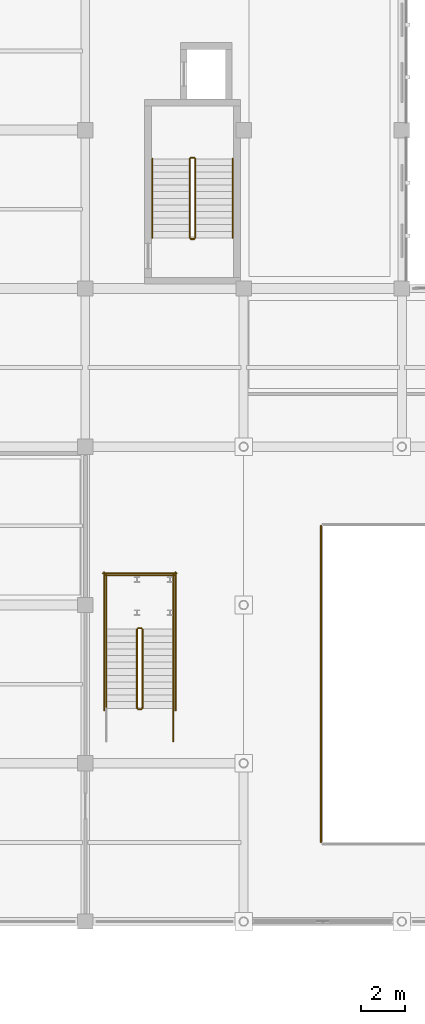
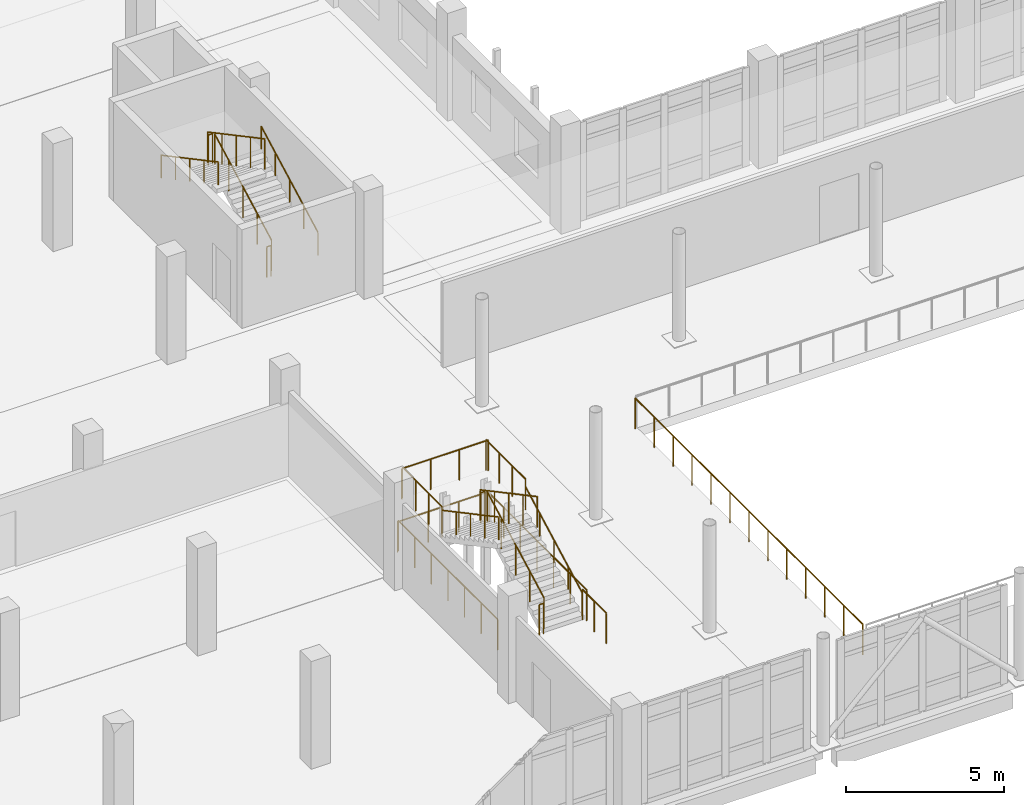
# One storey, part 54 of 62: 20 railings.
"""IFC4 building model written with IfcOpenShell, lengths in metres."""

import ifcopenshell
import ifcopenshell.guid

model = None  # the IFC model being written
_history = None  # IfcOwnerHistory: only IFC2X3 demands one
_inside = {}  # id of a spatial element -> (the spatial element, [elements in it])
_under = {}  # id of a project, library or spatial element -> (it, [spatial elements below it])
_declared = {}  # id of a project -> (the project, [libraries it declares])
_typed = {}  # id of a type object -> (the type object, [elements of that type])
_made_of = {}  # id of a material, layer set ... -> (it, [elements and type objects made of it])


def new_model(schema):
    """Start an empty IFC model of exactly this schema.

    Asked for "IFC4X3", IfcOpenShell would pick the latest addendum, in which some entities
    have other attributes; the version numbers below select the first issue.
    IFC2X3 requires an IfcOwnerHistory on every rooted entity: one is made here for all.
    """
    global model, _history
    if schema == "IFC4X3":
        model = ifcopenshell.file(schema_version=(4, 3, 0, 0))
    else:
        model = ifcopenshell.file(schema=schema)
    _inside.clear()
    _under.clear()
    _declared.clear()
    _typed.clear()
    _made_of.clear()
    _history = None
    if model.schema == "IFC2X3":
        org = make("IfcOrganization", Name="unknown")
        user = make(
            "IfcPersonAndOrganization",
            ThePerson=make("IfcPerson", FamilyName="unknown"),
            TheOrganization=org,
        )
        app = make(
            "IfcApplication",
            ApplicationDeveloper=org,
            Version="unknown",
            ApplicationFullName="unknown",
            ApplicationIdentifier="unknown",
        )
        _history = make(
            "IfcOwnerHistory",
            OwningUser=user,
            OwningApplication=app,
            ChangeAction="ADDED",
            CreationDate=0,
        )
    return model


def make(cls, **values):
    """One entity of the class cls with the attributes given. An attribute that is None is left unset."""
    return model.create_entity(
        cls, **{name: value for name, value in values.items() if value is not None}
    )


def rooted(cls, **values):
    """An entity with a GlobalId (a new one), such as an element, a storey or a relation."""
    return make(cls, GlobalId=ifcopenshell.guid.new(), OwnerHistory=_history, **values)


def si_unit(unit_type, name, prefix=None):
    """IfcSIUnit, for example si_unit("LENGTHUNIT", "METRE", prefix="MILLI")."""
    return make("IfcSIUnit", UnitType=unit_type, Prefix=prefix, Name=name)


def assignment(units):
    """IfcUnitAssignment: the units of a project."""
    return None if units is None else make("IfcUnitAssignment", Units=units)


def point(xyz):
    """IfcCartesianPoint."""
    return None if xyz is None else make("IfcCartesianPoint", Coordinates=xyz)


def direction(xyz):
    """IfcDirection."""
    return None if xyz is None else make("IfcDirection", DirectionRatios=xyz)


def frame(location, z_axis=None, x_axis=None):
    """IfcAxis2Placement3D, a coordinate frame: its origin and axes. An axis left out is left unset."""
    return make(
        "IfcAxis2Placement3D",
        Location=point(location),
        Axis=direction(z_axis),
        RefDirection=direction(x_axis),
    )


def frame_2d(location, x_axis=None):
    """IfcAxis2Placement2D, a coordinate frame in the plane: its origin and x axis."""
    return make(
        "IfcAxis2Placement2D", Location=point(location), RefDirection=direction(x_axis)
    )


def origin():
    """The frame at (0, 0, 0) with its axes left unset."""
    return frame((0.0, 0.0, 0.0))


def origin_2d():
    """The frame at (0, 0) in the plane with its x axis left unset."""
    return frame_2d((0.0, 0.0))


def place(relative_to, where):
    """IfcLocalPlacement: puts the frame where relative to a parent placement (None: the world)."""
    return make(
        "IfcLocalPlacement", PlacementRelTo=relative_to, RelativePlacement=where
    )


def context(
    kind, dimensions, precision=None, world=None, true_north=None, identifier=None
):
    """IfcGeometricRepresentationContext, for example the 3D "Model" context."""
    return make(
        "IfcGeometricRepresentationContext",
        ContextIdentifier=identifier,
        ContextType=kind,
        CoordinateSpaceDimension=dimensions,
        Precision=precision,
        WorldCoordinateSystem=world,
        TrueNorth=true_north,
    )


def subcontext(parent, identifier, kind, view, scale=None):
    """IfcGeometricRepresentationSubContext, for example "Body" below "Model"."""
    return make(
        "IfcGeometricRepresentationSubContext",
        ContextIdentifier=identifier,
        ContextType=kind,
        ParentContext=parent,
        TargetScale=scale,
        TargetView=view,
    )


def project(units=None, contexts=None):
    """IfcProject with its units and contexts."""
    return rooted(
        "IfcProject",
        Name="project",
        RepresentationContexts=contexts,
        UnitsInContext=assignment(units),
    )


def spatial(cls, under=None, at=None, **own):
    """A site, building, storey or space (cls), placed at a placement, below another one or the project."""
    s = rooted(cls, ObjectPlacement=at, **own)
    if under is not None:
        _under.setdefault(under.id(), (under, []))[1].append(s)
    return s


def profile(cls, at=None, kind="AREA", **sizes):
    """A parametric profile (cls). Its sizes go by their IFC names, for example OverallWidth=200.0."""
    return make(cls, ProfileType=kind, Position=at, **sizes)


def circle(**sizes):
    """IfcCircleProfileDef."""
    return profile("IfcCircleProfileDef", **sizes)


def extrude(swept, where, along, depth):
    """IfcExtrudedAreaSolid: the profile swept, set in the frame where, extruded along a direction by depth."""
    return make(
        "IfcExtrudedAreaSolid",
        SweptArea=swept,
        Position=where,
        ExtrudedDirection=direction(along),
        Depth=depth,
    )


def shape(context_of_items, identifier, shape_type, items):
    """IfcShapeRepresentation: the items that make up one representation, for example the "Body"."""
    return make(
        "IfcShapeRepresentation",
        ContextOfItems=context_of_items,
        RepresentationIdentifier=identifier,
        RepresentationType=shape_type,
        Items=items,
    )


def material(Name=None, Category=None):
    """IfcMaterial."""
    return make("IfcMaterial", Name=Name, Category=Category)


def made_of(thing, what):
    """Note that an element or type object is made of a material, layer set ...; save() writes the relation."""
    if what is not None:
        _made_of.setdefault(what.id(), (what, []))[1].append(thing)
    return thing


def type_object(cls, material=None, **own):
    """A type object (cls), such as IfcWallType, which elements share."""
    return made_of(rooted(cls, **own), material)


def element(
    cls,
    number,
    at=None,
    inside=None,
    cuts=None,
    type_object=None,
    material=None,
    context=None,
    identifier="Body",
    shape_type=None,
    held_by="IfcProductDefinitionShape",
    body=None,
    shapes=None,
    **own,
):
    """One element of the class cls, such as IfcWall. Its Tag is "e" and its number.

    at: its placement. inside: the storey or other place that contains it. cuts: it is an
    opening in that element (IfcRelVoidsElement). A single representation is given by context,
    identifier, shape_type and body (its items); several are given by shapes. held_by: the class
    of the entity that holds the representations. save() writes the other relations.
    """
    e = rooted(cls, Tag="e%d" % number, ObjectPlacement=at, **own)
    if body is not None:
        shapes = [shape(context, identifier, shape_type, body)]
    if shapes is not None:
        e.Representation = make(held_by, Representations=shapes)
    if inside is not None:
        _inside.setdefault(inside.id(), (inside, []))[1].append(e)
    if cuts is not None:
        rooted(
            "IfcRelVoidsElement", RelatingBuildingElement=cuts, RelatedOpeningElement=e
        )
    if type_object is not None:
        _typed.setdefault(type_object.id(), (type_object, []))[1].append(e)
    return made_of(e, material)


def aggregate(whole, parts):
    """IfcRelAggregates: a whole, such as a stair, and the parts it consists of."""
    return rooted("IfcRelAggregates", RelatingObject=whole, RelatedObjects=parts)


def save(model, path):
    """Write the relations noted so far, then the file.

    IfcRelAggregates (storeys below a building ...), IfcRelContainedInSpatialStructure (elements
    in a storey), IfcRelDefinesByType, IfcRelAssociatesMaterial and IfcRelDeclares: one each for
    every whole, place, type object, material and project.
    """
    for whole, parts in _under.values():
        aggregate(whole, parts)
    for where, things in _inside.values():
        rooted(
            "IfcRelContainedInSpatialStructure",
            RelatedElements=things,
            RelatingStructure=where,
        )
    for kind, things in _typed.values():
        rooted("IfcRelDefinesByType", RelatedObjects=things, RelatingType=kind)
    for what, things in _made_of.values():
        rooted("IfcRelAssociatesMaterial", RelatedObjects=things, RelatingMaterial=what)
    for by, libraries in _declared.values():
        rooted("IfcRelDeclares", RelatingContext=by, RelatedDefinitions=libraries)
    model.write(path)


model = new_model("IFC4")

# Units and contexts
model_context = context("Model", 3, precision=1e-05, world=origin(), true_north=direction((0.0, 1.0)))
body_context = subcontext(model_context, "Body", "Model", "MODEL_VIEW")
ifc_project = project(units=[si_unit("LENGTHUNIT", "METRE"), si_unit("AREAUNIT", "SQUARE_METRE"), si_unit("VOLUMEUNIT", "CUBIC_METRE"), si_unit("PLANEANGLEUNIT", "RADIAN"), si_unit("MASSUNIT", "GRAM", prefix="KILO")], contexts=[model_context])

# Site, building, storey
site_placement = place(None, origin())
site = spatial("IfcSite", under=ifc_project, at=site_placement, CompositionType="ELEMENT")
building_placement = place(site_placement, origin())
building = spatial("IfcBuilding", under=site, at=building_placement, Name="Valkovuoma Quantum and Materials Research Institute", CompositionType="ELEMENT")
storey_placement = place(building_placement, frame((0.0, 0.0, 8.9599609375)))
storey = spatial("IfcBuildingStorey", under=building, at=storey_placement, Name="L02", CompositionType="ELEMENT", Elevation=8.9599609375)

# Railings
ifc_material_1 = material(Name="Hot-dip galvanised and powder-coated steel guardrail", Category="steel")
railing_type_1 = type_object("IfcRailingType", Name="Rail-GRD-EXT", PredefinedType="BALUSTRADE", material=ifc_material_1)
railing_1_placement = place(storey_placement, frame((46.719970703125, 39.60009765625, 0.0)))
element("IfcRailing", 1, at=railing_1_placement, inside=storey, type_object=railing_type_1, Name="L02 atrium_void balustrade W", PredefinedType="BALUSTRADE", context=body_context, shape_type="SweptSolid", body=[
    extrude(circle(Radius=0.02392578125, at=origin_2d()), frame((0.0, 0.0, 1.17578125), z_axis=(0.0, 1.0, 0.0), x_axis=(-1.0, 0.0, 0.0)), (0.0, 0.0, 1.0), 14.39990234375),
    extrude(circle(Radius=0.02099609375, at=origin_2d()), origin(), (0.0, 0.0, 1.0), 1.15185546875),
    extrude(circle(Radius=0.02099609375, at=origin_2d()), frame((0.0, 1.199951171875, 0.0)), (0.0, 0.0, 1.0), 1.15185546875),
    extrude(circle(Radius=0.02099609375, at=origin_2d()), frame((0.0, 2.39990234375, 0.0)), (0.0, 0.0, 1.0), 1.15185546875),
    extrude(circle(Radius=0.02099609375, at=origin_2d()), frame((0.0, 3.60009765625, 0.0)), (0.0, 0.0, 1.0), 1.15185546875),
    extrude(circle(Radius=0.02099609375, at=origin_2d()), frame((0.0, 4.800048828125, 0.0)), (0.0, 0.0, 1.0), 1.15185546875),
    extrude(circle(Radius=0.02099609375, at=origin_2d()), frame((0.0, 6.0, 0.0)), (0.0, 0.0, 1.0), 1.15185546875),
    extrude(circle(Radius=0.02099609375, at=origin_2d()), frame((0.0, 7.199951171875, 0.0)), (0.0, 0.0, 1.0), 1.15185546875),
    extrude(circle(Radius=0.02099609375, at=origin_2d()), frame((0.0, 8.39990234375, 0.0)), (0.0, 0.0, 1.0), 1.15185546875),
    extrude(circle(Radius=0.02099609375, at=origin_2d()), frame((0.0, 9.599853515625, 0.0)), (0.0, 0.0, 1.0), 1.15185546875),
    extrude(circle(Radius=0.02099609375, at=origin_2d()), frame((0.0, 10.7998046875, 0.0)), (0.0, 0.0, 1.0), 1.15185546875),
    extrude(circle(Radius=0.02099609375, at=origin_2d()), frame((0.0, 12.0, 0.0)), (0.0, 0.0, 1.0), 1.15185546875),
    extrude(circle(Radius=0.02099609375, at=origin_2d()), frame((0.0, 13.199951171875, 0.0)), (0.0, 0.0, 1.0), 1.15185546875),
    extrude(circle(Radius=0.02099609375, at=origin_2d()), frame((0.0, 14.39990234375, 0.0)), (0.0, 0.0, 1.0), 1.15185546875),
])
ifc_material_2 = material(Name="Painted steel stair balustrade", Category="steel")
railing_type_2 = type_object("IfcRailingType", Name="Rail-GRD-ST", PredefinedType="BALUSTRADE", material=ifc_material_2)
railing_2_placement = place(storey_placement, frame((41.0, 67.10009765625, 0.16015625)))
element("IfcRailing", 2, at=railing_2_placement, inside=storey, type_object=railing_type_2, Name="L02 ST-4 stair guard 1", PredefinedType="BALUSTRADE", context=body_context, shape_type="SweptSolid", body=[
    extrude(circle(Radius=0.02392578125, at=origin_2d()), frame((0.0, 0.0, 1.17578125), z_axis=(0.0, 0.882352941176, 0.470588235294), x_axis=(-1.0, 0.0, 0.0)), (0.0, 0.0, 1.0), 4.079833984375),
    extrude(circle(Radius=0.02099609375, at=origin_2d()), origin(), (0.0, 0.0, 1.0), 1.15185546875),
    extrude(circle(Radius=0.02099609375, at=origin_2d()), frame((0.0, 0.89990234375, 0.47998046875)), (0.0, 0.0, 1.0), 1.15185546875),
    extrude(circle(Radius=0.02099609375, at=origin_2d()), frame((0.0, 1.7998046875, 0.9599609375)), (0.0, 0.0, 1.0), 1.15185546875),
    extrude(circle(Radius=0.02099609375, at=origin_2d()), frame((0.0, 2.699951171875, 1.43994140625)), (0.0, 0.0, 1.0), 1.15185546875),
    extrude(circle(Radius=0.02099609375, at=origin_2d()), frame((0.0, 3.599853515625, 1.919921875)), (0.0, 0.0, 1.0), 1.15185546875),
])
railing_3_placement = place(storey_placement, frame((40.949951171875, 70.75, 2.080078125)))
element("IfcRailing", 3, at=railing_3_placement, inside=storey, type_object=railing_type_2, Name="L02 ST-4 stair guard 2", PredefinedType="BALUSTRADE", context=body_context, shape_type="SweptSolid", body=[
    extrude(circle(Radius=0.02392578125, at=origin_2d()), frame((0.0, 0.0, 1.17578125), z_axis=(-1.0, 0.0, 0.0), x_axis=(0.0, -1.0, 0.0)), (0.0, 0.0, 1.0), 0.14990234375),
    extrude(circle(Radius=0.02099609375, at=origin_2d()), origin(), (0.0, 0.0, 1.0), 1.15185546875),
    extrude(circle(Radius=0.02099609375, at=origin_2d()), frame((-0.14990234375, 0.0, 0.0)), (0.0, 0.0, 1.0), 1.15185546875),
])
railing_4_placement = place(storey_placement, frame((40.75, 70.699951171875, 2.239990234375)))
element("IfcRailing", 4, at=railing_4_placement, inside=storey, type_object=railing_type_2, Name="L02 ST-4 stair guard 3", PredefinedType="BALUSTRADE", context=body_context, shape_type="SweptSolid", body=[
    extrude(circle(Radius=0.02392578125, at=origin_2d()), frame((0.0, 0.0, 1.17578125), z_axis=(0.0, -0.882328093246, 0.470634822203), x_axis=(1.0, 0.0, 0.0)), (0.0, 0.0, 1.0), 4.079833984375),
    extrude(circle(Radius=0.02099609375, at=origin_2d()), origin(), (0.0, 0.0, 1.0), 1.15185546875),
    extrude(circle(Radius=0.02099609375, at=origin_2d()), frame((0.0, -0.89990234375, 0.47998046875)), (0.0, 0.0, 1.0), 1.15185546875),
    extrude(circle(Radius=0.02099609375, at=origin_2d()), frame((0.0, -1.7998046875, 0.9599609375)), (0.0, 0.0, 1.0), 1.15185546875),
    extrude(circle(Radius=0.02099609375, at=origin_2d()), frame((0.0, -2.699951171875, 1.440185546875)), (0.0, 0.0, 1.0), 1.15185546875),
    extrude(circle(Radius=0.02099609375, at=origin_2d()), frame((0.0, -3.599853515625, 1.920166015625)), (0.0, 0.0, 1.0), 1.15185546875),
])
railing_5_placement = place(storey_placement, frame((40.949951171875, 67.050048828125, 0.0)))
element("IfcRailing", 5, at=railing_5_placement, inside=storey, type_object=railing_type_2, Name="L02 ST-4 stair guard 4", PredefinedType="BALUSTRADE", context=body_context, shape_type="SweptSolid", body=[
    extrude(circle(Radius=0.02392578125, at=origin_2d()), frame((0.0, 0.0, 1.17578125), z_axis=(-1.0, 0.0, 0.0), x_axis=(0.0, -1.0, 0.0)), (0.0, 0.0, 1.0), 0.14990234375),
    extrude(circle(Radius=0.02099609375, at=origin_2d()), origin(), (0.0, 0.0, 1.0), 1.15185546875),
    extrude(circle(Radius=0.02099609375, at=origin_2d()), frame((-0.14990234375, 0.0, 0.0)), (0.0, 0.0, 1.0), 1.15185546875),
])
railing_6_placement = place(storey_placement, frame((38.60009765625, 45.699951171875, 0.16015625)))
element("IfcRailing", 6, at=railing_6_placement, inside=storey, type_object=railing_type_2, Name="L02 ST-5 stair guard 1", PredefinedType="BALUSTRADE", context=body_context, shape_type="SweptSolid", body=[
    extrude(circle(Radius=0.02392578125, at=origin_2d()), frame((0.0, 0.0, 1.17578125), z_axis=(0.0, 0.882366192074, 0.470563389019), x_axis=(-1.0, 0.0, 0.0)), (0.0, 0.0, 1.0), 4.080078125),
    extrude(circle(Radius=0.02099609375, at=origin_2d()), origin(), (0.0, 0.0, 1.0), 1.15185546875),
    extrude(circle(Radius=0.02099609375, at=origin_2d()), frame((0.0, 0.89990234375, 0.47998046875)), (0.0, 0.0, 1.0), 1.15185546875),
    extrude(circle(Radius=0.02099609375, at=origin_2d()), frame((0.0, 1.800048828125, 0.9599609375)), (0.0, 0.0, 1.0), 1.15185546875),
    extrude(circle(Radius=0.02099609375, at=origin_2d()), frame((0.0, 2.7001953125, 1.43994140625)), (0.0, 0.0, 1.0), 1.15185546875),
    extrude(circle(Radius=0.02099609375, at=origin_2d()), frame((0.0, 3.60009765625, 1.919921875)), (0.0, 0.0, 1.0), 1.15185546875),
])
railing_7_placement = place(storey_placement, frame((38.550048828125, 49.35009765625, 2.080078125)))
element("IfcRailing", 7, at=railing_7_placement, inside=storey, type_object=railing_type_2, Name="L02 ST-5 stair guard 2", PredefinedType="BALUSTRADE", context=body_context, shape_type="SweptSolid", body=[
    extrude(circle(Radius=0.02392578125, at=origin_2d()), frame((0.0, 0.0, 1.17578125), z_axis=(-1.0, 0.0, 0.0), x_axis=(0.0, -1.0, 0.0)), (0.0, 0.0, 1.0), 0.150146484375),
    extrude(circle(Radius=0.02099609375, at=origin_2d()), origin(), (0.0, 0.0, 1.0), 1.15185546875),
    extrude(circle(Radius=0.02099609375, at=origin_2d()), frame((-0.150146484375, 0.0, 0.0)), (0.0, 0.0, 1.0), 1.15185546875),
])
for number, where, name in (
    (8, (40.0, 49.300048828125, 2.080078125), "L02 ST-5 stair guard 3"),
    (9, (36.949951171875, 49.300048828125, 2.080078125), "L02 ST-5 stair guard 4"),
):
    element("IfcRailing", number, at=place(storey_placement, frame(where)), inside=storey, type_object=railing_type_2, Name=name, PredefinedType="BALUSTRADE", context=body_context, shape_type="SweptSolid", body=[
        extrude(circle(Radius=0.02392578125, at=origin_2d()), frame((0.0, 0.0, 1.17578125), z_axis=(0.0, 1.0, 0.0), x_axis=(-1.0, 0.0, 0.0)), (0.0, 0.0, 1.0), 2.5),
        extrude(circle(Radius=0.02099609375, at=origin_2d()), origin(), (0.0, 0.0, 1.0), 1.15185546875),
        extrude(circle(Radius=0.02099609375, at=origin_2d()), frame((0.0, 0.833251953125, 0.0)), (0.0, 0.0, 1.0), 1.15185546875),
        extrude(circle(Radius=0.02099609375, at=origin_2d()), frame((0.0, 1.666748046875, 0.0)), (0.0, 0.0, 1.0), 1.15185546875),
        extrude(circle(Radius=0.02099609375, at=origin_2d()), frame((0.0, 2.5, 0.0)), (0.0, 0.0, 1.0), 1.15185546875),
    ])
railing_8_placement = place(storey_placement, frame((40.050048828125, 51.75, 2.080078125)))
element("IfcRailing", 10, at=railing_8_placement, inside=storey, type_object=railing_type_2, Name="L02 ST-5 stair guard 5", PredefinedType="BALUSTRADE", context=body_context, shape_type="SweptSolid", body=[
    extrude(circle(Radius=0.02392578125, at=origin_2d()), frame((0.0, 0.0, 1.17578125), z_axis=(-1.0, 0.0, 0.0), x_axis=(0.0, -1.0, 0.0)), (0.0, 0.0, 1.0), 3.150146484375),
    extrude(circle(Radius=0.02099609375, at=origin_2d()), origin(), (0.0, 0.0, 1.0), 1.15185546875),
    extrude(circle(Radius=0.02099609375, at=origin_2d()), frame((-1.050048828125, 0.0, 0.0)), (0.0, 0.0, 1.0), 1.15185546875),
    extrude(circle(Radius=0.02099609375, at=origin_2d()), frame((-2.10009765625, 0.0, 0.0)), (0.0, 0.0, 1.0), 1.15185546875),
    extrude(circle(Radius=0.02099609375, at=origin_2d()), frame((-3.150146484375, 0.0, 0.0)), (0.0, 0.0, 1.0), 1.15185546875),
])
railing_9_placement = place(storey_placement, frame((38.35009765625, 49.300048828125, 2.239990234375)))
element("IfcRailing", 11, at=railing_9_placement, inside=storey, type_object=railing_type_2, Name="L02 ST-5 stair guard 6", PredefinedType="BALUSTRADE", context=body_context, shape_type="SweptSolid", body=[
    extrude(circle(Radius=0.02392578125, at=origin_2d()), frame((0.0, 0.0, 1.17578125), z_axis=(0.0, -0.882341346394, 0.470609974867), x_axis=(1.0, 0.0, 0.0)), (0.0, 0.0, 1.0), 4.080078125),
    extrude(circle(Radius=0.02099609375, at=origin_2d()), origin(), (0.0, 0.0, 1.0), 1.15185546875),
    extrude(circle(Radius=0.02099609375, at=origin_2d()), frame((0.0, -0.89990234375, 0.47998046875)), (0.0, 0.0, 1.0), 1.15185546875),
    extrude(circle(Radius=0.02099609375, at=origin_2d()), frame((0.0, -1.800048828125, 0.9599609375)), (0.0, 0.0, 1.0), 1.15185546875),
    extrude(circle(Radius=0.02099609375, at=origin_2d()), frame((0.0, -2.7001953125, 1.440185546875)), (0.0, 0.0, 1.0), 1.15185546875),
    extrude(circle(Radius=0.02099609375, at=origin_2d()), frame((0.0, -3.60009765625, 1.920166015625)), (0.0, 0.0, 1.0), 1.15185546875),
])
railing_10_placement = place(storey_placement, frame((38.550048828125, 45.64990234375, 0.0)))
element("IfcRailing", 12, at=railing_10_placement, inside=storey, type_object=railing_type_2, Name="L02 ST-5 stair guard 7", PredefinedType="BALUSTRADE", context=body_context, shape_type="SweptSolid", body=[
    extrude(circle(Radius=0.02392578125, at=origin_2d()), frame((0.0, 0.0, 1.17578125), z_axis=(-1.0, 0.0, 0.0), x_axis=(0.0, -1.0, 0.0)), (0.0, 0.0, 1.0), 0.150146484375),
    extrude(circle(Radius=0.02099609375, at=origin_2d()), origin(), (0.0, 0.0, 1.0), 1.15185546875),
    extrude(circle(Radius=0.02099609375, at=origin_2d()), frame((-0.150146484375, 0.0, 0.0)), (0.0, 0.0, 1.0), 1.15185546875),
])
railing_11_placement = place(storey_placement, frame((40.0, 44.199951171875, 0.0)))
element("IfcRailing", 13, at=railing_11_placement, inside=storey, type_object=railing_type_2, Name="L02 ST-5 stair guard 8", PredefinedType="BALUSTRADE", context=body_context, shape_type="SweptSolid", body=[
    extrude(circle(Radius=0.02392578125, at=origin_2d()), frame((0.0, 0.0, 1.17578125), z_axis=(0.0, 1.0, 0.0), x_axis=(-1.0, 0.0, 0.0)), (0.0, 0.0, 1.0), 1.5),
    extrude(circle(Radius=0.02099609375, at=origin_2d()), origin(), (0.0, 0.0, 1.0), 1.15185546875),
    extrude(circle(Radius=0.02099609375, at=origin_2d()), frame((0.0, 0.75, 0.0)), (0.0, 0.0, 1.0), 1.15185546875),
    extrude(circle(Radius=0.02099609375, at=origin_2d()), frame((0.0, 1.5, 0.0)), (0.0, 0.0, 1.0), 1.15185546875),
])
for number, where, name in (
    (14, (40.10009765625, 45.60009765625, 0.0), "L02 ST-5 stair guard 10"),
    (15, (36.85009765625, 45.60009765625, 0.0), "L02 ST-5 stair guard 11"),
):
    element("IfcRailing", number, at=place(storey_placement, frame(where)), inside=storey, type_object=railing_type_2, Name=name, PredefinedType="BALUSTRADE", context=body_context, shape_type="SweptSolid", body=[
        extrude(circle(Radius=0.02392578125, at=origin_2d()), frame((0.0, 0.0, 1.17578125), z_axis=(0.0, 1.0, 0.0), x_axis=(-1.0, 0.0, 0.0)), (0.0, 0.0, 1.0), 6.2998046875),
        extrude(circle(Radius=0.02099609375, at=origin_2d()), origin(), (0.0, 0.0, 1.0), 1.15185546875),
        extrude(circle(Radius=0.02099609375, at=origin_2d()), frame((0.0, 1.050048828125, 0.0)), (0.0, 0.0, 1.0), 1.15185546875),
        extrude(circle(Radius=0.02099609375, at=origin_2d()), frame((0.0, 2.099853515625, 0.0)), (0.0, 0.0, 1.0), 1.15185546875),
        extrude(circle(Radius=0.02099609375, at=origin_2d()), frame((0.0, 3.14990234375, 0.0)), (0.0, 0.0, 1.0), 1.15185546875),
        extrude(circle(Radius=0.02099609375, at=origin_2d()), frame((0.0, 4.199951171875, 0.0)), (0.0, 0.0, 1.0), 1.15185546875),
        extrude(circle(Radius=0.02099609375, at=origin_2d()), frame((0.0, 5.249755859375, 0.0)), (0.0, 0.0, 1.0), 1.15185546875),
        extrude(circle(Radius=0.02099609375, at=origin_2d()), frame((0.0, 6.2998046875, 0.0)), (0.0, 0.0, 1.0), 1.15185546875),
    ])
railing_12_placement = place(storey_placement, frame((40.14990234375, 51.85009765625, 0.0)))
element("IfcRailing", 16, at=railing_12_placement, inside=storey, type_object=railing_type_2, Name="L02 ST-5 stair guard 12", PredefinedType="BALUSTRADE", context=body_context, shape_type="SweptSolid", body=[
    extrude(circle(Radius=0.02392578125, at=origin_2d()), frame((0.0, 0.0, 1.17578125), z_axis=(-1.0, 0.0, 0.0), x_axis=(0.0, -1.0, 0.0)), (0.0, 0.0, 1.0), 3.349853515625),
    extrude(circle(Radius=0.02099609375, at=origin_2d()), origin(), (0.0, 0.0, 1.0), 1.15185546875),
    extrude(circle(Radius=0.02099609375, at=origin_2d()), frame((-1.11669921875, 0.0, 0.0)), (0.0, 0.0, 1.0), 1.15185546875),
    extrude(circle(Radius=0.02099609375, at=origin_2d()), frame((-2.233154296875, 0.0, 0.0)), (0.0, 0.0, 1.0), 1.15185546875),
    extrude(circle(Radius=0.02099609375, at=origin_2d()), frame((-3.349853515625, 0.0, 0.0)), (0.0, 0.0, 1.0), 1.15185546875),
])
ifc_material_3 = material(Name="Brushed stainless steel handrail", Category="steel")
railing_type_3 = type_object("IfcRailingType", Name="Rail-HR-ST", PredefinedType="HANDRAIL", material=ifc_material_3)
railing_13_placement = place(storey_placement, frame((42.699951171875, 67.10009765625, 0.16015625)))
element("IfcRailing", 17, at=railing_13_placement, inside=storey, type_object=railing_type_3, Name="L02 ST-4 stair handrail 1", PredefinedType="HANDRAIL", context=body_context, shape_type="SweptSolid", body=[
    extrude(circle(Radius=0.02392578125, at=origin_2d()), frame((0.0, 0.0, 0.8759765625), z_axis=(0.0, 0.882352941176, 0.470588235294), x_axis=(-1.0, 0.0, 0.0)), (0.0, 0.0, 1.0), 4.079833984375),
    extrude(circle(Radius=0.02099609375, at=origin_2d()), origin(), (0.0, 0.0, 1.0), 0.851806640625),
    extrude(circle(Radius=0.02099609375, at=origin_2d()), frame((0.0, 0.89990234375, 0.47998046875)), (0.0, 0.0, 1.0), 0.851806640625),
    extrude(circle(Radius=0.02099609375, at=origin_2d()), frame((0.0, 1.7998046875, 0.9599609375)), (0.0, 0.0, 1.0), 0.851806640625),
    extrude(circle(Radius=0.02099609375, at=origin_2d()), frame((0.0, 2.699951171875, 1.43994140625)), (0.0, 0.0, 1.0), 0.851806640625),
    extrude(circle(Radius=0.02099609375, at=origin_2d()), frame((0.0, 3.599853515625, 1.919921875)), (0.0, 0.0, 1.0), 0.851806640625),
])
railing_14_placement = place(storey_placement, frame((39.050048828125, 70.699951171875, 2.239990234375)))
element("IfcRailing", 18, at=railing_14_placement, inside=storey, type_object=railing_type_3, Name="L02 ST-4 stair handrail 2", PredefinedType="HANDRAIL", context=body_context, shape_type="SweptSolid", body=[
    extrude(circle(Radius=0.02392578125, at=origin_2d()), frame((0.0, 0.0, 0.8759765625), z_axis=(0.0, -0.882328093246, 0.470634822203), x_axis=(1.0, 0.0, 0.0)), (0.0, 0.0, 1.0), 4.079833984375),
    extrude(circle(Radius=0.02099609375, at=origin_2d()), origin(), (0.0, 0.0, 1.0), 0.851806640625),
    extrude(circle(Radius=0.02099609375, at=origin_2d()), frame((0.0, -0.89990234375, 0.47998046875)), (0.0, 0.0, 1.0), 0.851806640625),
    extrude(circle(Radius=0.02099609375, at=origin_2d()), frame((0.0, -1.7998046875, 0.9599609375)), (0.0, 0.0, 1.0), 0.851806640625),
    extrude(circle(Radius=0.02099609375, at=origin_2d()), frame((0.0, -2.699951171875, 1.440185546875)), (0.0, 0.0, 1.0), 0.851806640625),
    extrude(circle(Radius=0.02099609375, at=origin_2d()), frame((0.0, -3.599853515625, 1.920166015625)), (0.0, 0.0, 1.0), 0.851806640625),
])
railing_15_placement = place(storey_placement, frame((40.0, 45.699951171875, 0.16015625)))
element("IfcRailing", 19, at=railing_15_placement, inside=storey, type_object=railing_type_3, Name="L02 ST-5 stair handrail 1", PredefinedType="HANDRAIL", context=body_context, shape_type="SweptSolid", body=[
    extrude(circle(Radius=0.02392578125, at=origin_2d()), frame((0.0, 0.0, 0.8759765625), z_axis=(0.0, 0.882366192074, 0.470563389019), x_axis=(-1.0, 0.0, 0.0)), (0.0, 0.0, 1.0), 4.080078125),
    extrude(circle(Radius=0.02099609375, at=origin_2d()), origin(), (0.0, 0.0, 1.0), 0.851806640625),
    extrude(circle(Radius=0.02099609375, at=origin_2d()), frame((0.0, 0.89990234375, 0.47998046875)), (0.0, 0.0, 1.0), 0.851806640625),
    extrude(circle(Radius=0.02099609375, at=origin_2d()), frame((0.0, 1.800048828125, 0.9599609375)), (0.0, 0.0, 1.0), 0.851806640625),
    extrude(circle(Radius=0.02099609375, at=origin_2d()), frame((0.0, 2.7001953125, 1.43994140625)), (0.0, 0.0, 1.0), 0.851806640625),
    extrude(circle(Radius=0.02099609375, at=origin_2d()), frame((0.0, 3.60009765625, 1.919921875)), (0.0, 0.0, 1.0), 0.851806640625),
])
railing_16_placement = place(storey_placement, frame((36.949951171875, 49.300048828125, 2.239990234375)))
element("IfcRailing", 20, at=railing_16_placement, inside=storey, type_object=railing_type_3, Name="L02 ST-5 stair handrail 2", PredefinedType="HANDRAIL", context=body_context, shape_type="SweptSolid", body=[
    extrude(circle(Radius=0.02392578125, at=origin_2d()), frame((0.0, 0.0, 0.8759765625), z_axis=(0.0, -0.882341346394, 0.470609974867), x_axis=(1.0, 0.0, 0.0)), (0.0, 0.0, 1.0), 4.080078125),
    extrude(circle(Radius=0.02099609375, at=origin_2d()), origin(), (0.0, 0.0, 1.0), 0.851806640625),
    extrude(circle(Radius=0.02099609375, at=origin_2d()), frame((0.0, -0.89990234375, 0.47998046875)), (0.0, 0.0, 1.0), 0.851806640625),
    extrude(circle(Radius=0.02099609375, at=origin_2d()), frame((0.0, -1.800048828125, 0.9599609375)), (0.0, 0.0, 1.0), 0.851806640625),
    extrude(circle(Radius=0.02099609375, at=origin_2d()), frame((0.0, -2.7001953125, 1.440185546875)), (0.0, 0.0, 1.0), 0.851806640625),
    extrude(circle(Radius=0.02099609375, at=origin_2d()), frame((0.0, -3.60009765625, 1.920166015625)), (0.0, 0.0, 1.0), 0.851806640625),
])

save(model, "model.ifc")
